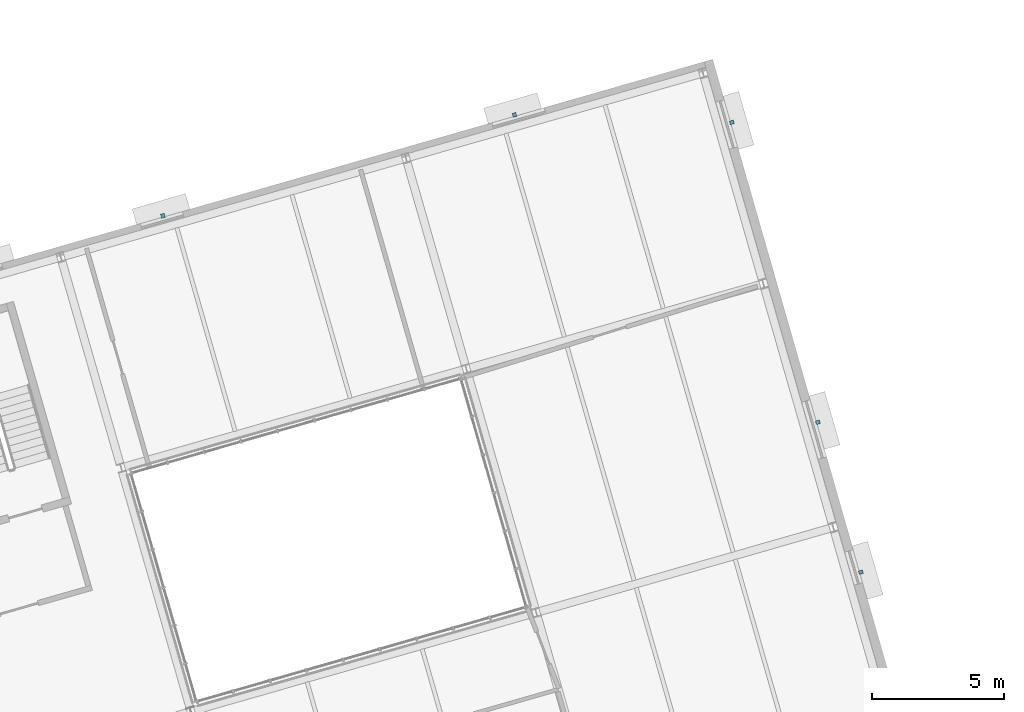
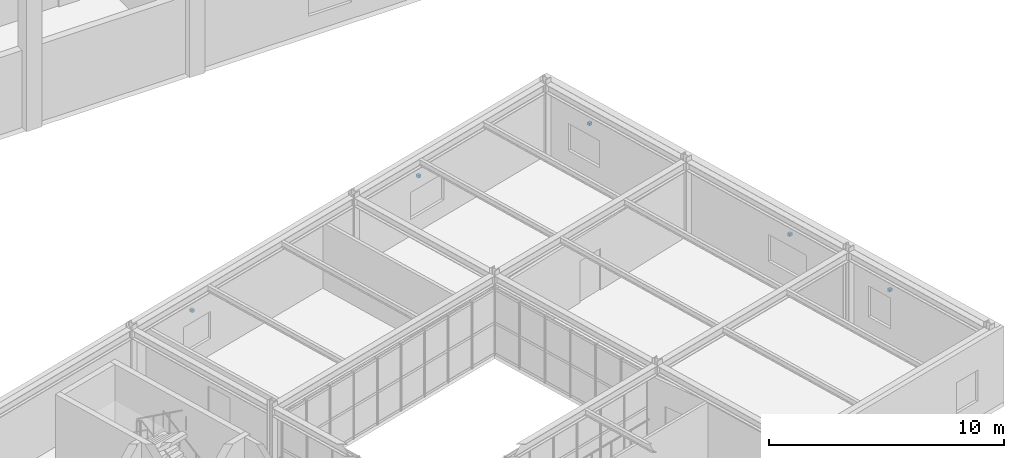
# One storey, part 44 of 59: 5 discrete accessories.
"""IFC4 building model written with IfcOpenShell, lengths in metres."""

from ifc_helpers import new_model, si_unit, direction, frame, origin, origin_2d, place, context, subcontext, project, spatial, rectangle, extrude, material, type_object, element, save


model = new_model("IFC4")

# Units and contexts
model_context = context("Model", 3, precision=1e-05, world=origin(), true_north=direction((0.0, 1.0)))
body_context = subcontext(model_context, "Body", "Model", "MODEL_VIEW")
ifc_project = project(units=[si_unit("LENGTHUNIT", "METRE"), si_unit("AREAUNIT", "SQUARE_METRE"), si_unit("VOLUMEUNIT", "CUBIC_METRE"), si_unit("PLANEANGLEUNIT", "RADIAN"), si_unit("MASSUNIT", "GRAM", prefix="KILO")], contexts=[model_context])

# Site, building, storey
site_placement = place(None, origin())
site = spatial("IfcSite", under=ifc_project, at=site_placement, CompositionType="ELEMENT")
building_placement = place(site_placement, origin())
building = spatial("IfcBuilding", under=site, at=building_placement, Name="Varnklinge Art Gallery", CompositionType="ELEMENT")
storey_placement = place(building_placement, frame((0.0, 0.0, 9.52001953125)))
storey = spatial("IfcBuildingStorey", under=building, at=storey_placement, Name="L02", CompositionType="ELEMENT", Elevation=9.52001953125)

# Discrete accessories
ifc_material = material(Name="Steel S355", Category="steel")
discrete_accessory_type = type_object("IfcDiscreteAccessoryType", Name="BRK-01", PredefinedType="BRACKET", material=ifc_material)
for number, where, z_axis, x_axis, name in (
    (1, (132.722412109375, 39.785400390625, 2.43017578125), (0.0, 0.0, 1.0), (0.961261695938, 0.275637355817, 0.0), "L02 Fin Outrigger Bracket EW-V6-L02-02.3"),
    (2, (146.037841796875, 43.603515625, 2.43017578125), (0.0, 0.0, 1.0), (0.961261695938, 0.275637355817, 0.0), "L02 Fin Outrigger Bracket EW-V6-L02-02.5"),
    (3, (154.2705078125, 43.322021484375, 2.43017578125), (0.0, 0.0, 1.0), (0.275637355817, -0.961261695938, 0.0), "L02 Fin Outrigger Bracket EW-V6-L02-03.1"),
    (4, (157.527099609375, 31.964599609375, 2.43017578125), (0.0, 0.0, 1.0), (0.275637355817, -0.961261695938, 0.0), "L02 Fin Outrigger Bracket EW-V6-L02-03.3"),
    (5, (159.155517578125, 26.2861328125, 2.43017578125), (0.0, 0.0, 1.0), (0.275637355817, -0.961261695938, 0.0), "L02 Fin Outrigger Bracket EW-V6-L02-03.4"),
):
    element("IfcDiscreteAccessory", number, at=place(storey_placement, frame(where, z_axis=z_axis, x_axis=x_axis)), inside=storey, type_object=discrete_accessory_type, Name=name, PredefinedType="BRACKET", context=body_context, shape_type="SweptSolid", body=[
        extrude(rectangle(XDim=0.139892578125, YDim=0.159912109375, at=origin_2d()), origin(), (0.0, 0.0, 1.0), 0.139892578125),
    ])

save(model, "model.ifc")
